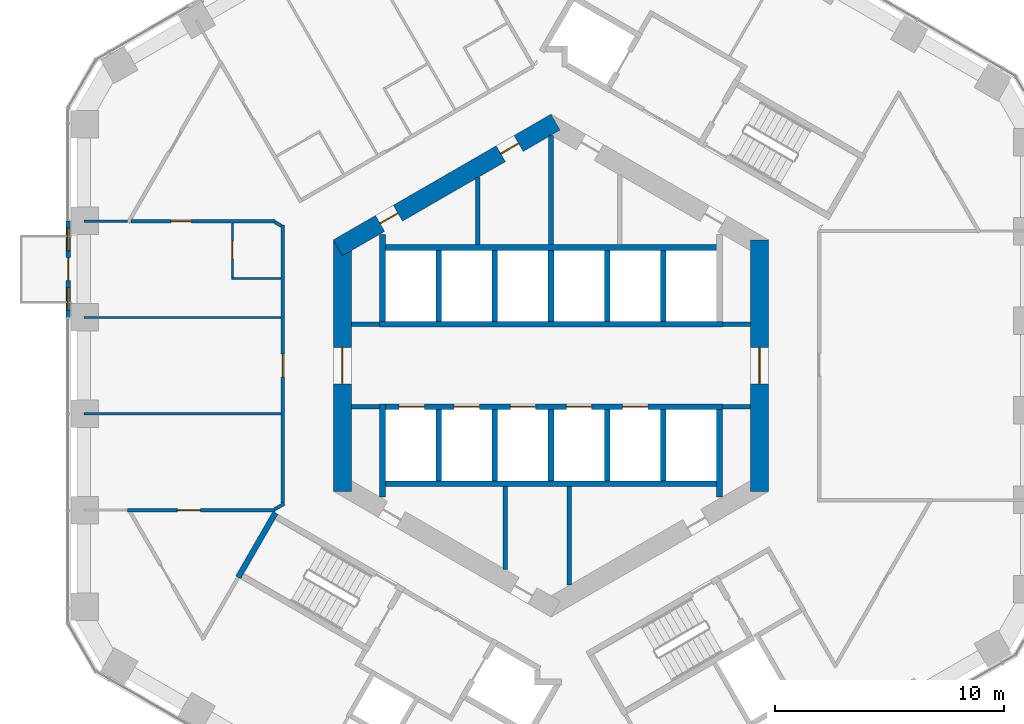
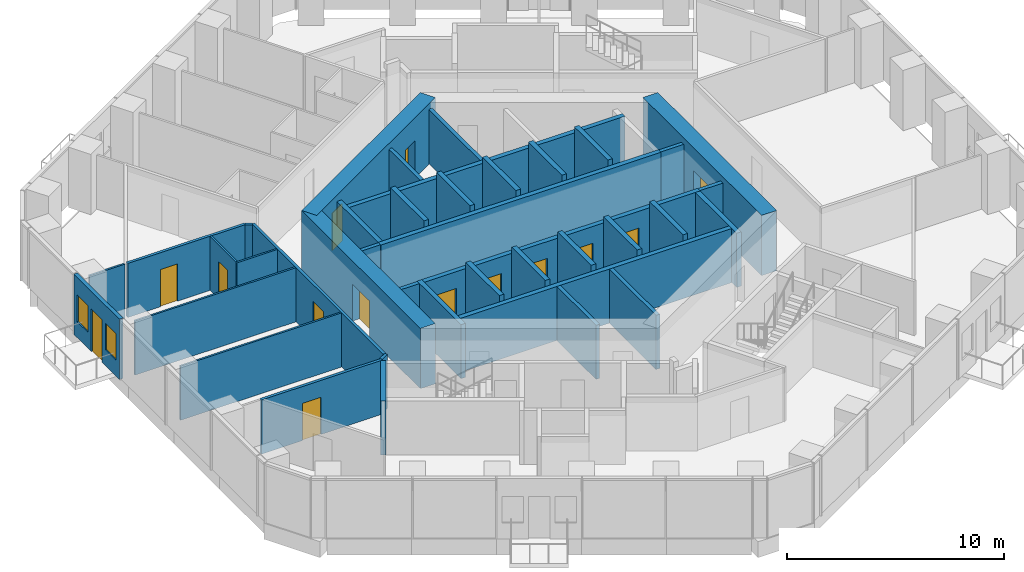
# One storey, part 14 of 20: 40 walls, 14 doors, 2 windows, 16 openings.
"""IFC4 building model written with IfcOpenShell, lengths in metres."""

from ifc_helpers import new_model, si_unit, direction, frame, frame_2d, origin, place, context, subcontext, project, spatial, rectangle, extrude, material, layer, layer_set, type_object, element, fill, save


model = new_model("IFC4")

# Units and contexts
model_context = context("Model", 3, precision=1e-05, world=origin(), true_north=direction((0.0, 1.0)))
body_context = subcontext(model_context, "Body", "Model", "MODEL_VIEW")
ifc_project = project(units=[si_unit("LENGTHUNIT", "METRE"), si_unit("AREAUNIT", "SQUARE_METRE"), si_unit("VOLUMEUNIT", "CUBIC_METRE"), si_unit("PLANEANGLEUNIT", "RADIAN"), si_unit("MASSUNIT", "GRAM", prefix="KILO")], contexts=[model_context])

# Site, building, storey
site_placement = place(None, origin())
site = spatial("IfcSite", under=ifc_project, at=site_placement, CompositionType="ELEMENT")
building_placement = place(site_placement, origin())
building = spatial("IfcBuilding", under=site, at=building_placement, Name="Ayvan Gate Tower", CompositionType="ELEMENT")
storey_placement = place(building_placement, frame((0.0, 0.0, 49.300048828125)))
storey = spatial("IfcBuildingStorey", under=building, at=storey_placement, Name="L12", CompositionType="ELEMENT", Elevation=49.300048828125)

# Wall, openings, door, windows
ifc_material_1 = material(Name="Insulated metal panel wall")
ifc_layer_1 = layer(ifc_material_1, 0.199951171875)
ifc_layer_set_1 = layer_set([ifc_layer_1], Name="Insulated metal panel wall")
wall_type_1 = type_object("IfcWallType", Name="Balcony door wall 200", PredefinedType="SOLIDWALL", material=ifc_layer_set_1)
wall_1_placement = place(storey_placement, frame((-21.069091796875, 6.31494140625, 0.0), z_axis=(0.0, 0.0, 1.0), x_axis=(0.0, -1.0, 0.0)))
wall_1 = element("IfcWall", 1, at=wall_1_placement, inside=storey, type_object=wall_type_1, Name="EW:L12:3:1", PredefinedType="SOLIDWALL", context=body_context, shape_type="SweptSolid", body=[
    extrude(rectangle(XDim=4.2099609375, YDim=0.199951171875, at=frame_2d((2.10498046875, 0.0))), origin(), (0.0, 0.0, 1.0), 3.39990234375),
])
opening_1_placement = place(wall_1_placement, frame((1.60498046875, 0.0, 0.0)))
opening_1 = element("IfcOpeningElement", 2, at=opening_1_placement, cuts=wall_1, Name="Opening L12-D93", PredefinedType="OPENING", context=body_context, shape_type="SweptSolid", body=[
    extrude(rectangle(XDim=1.0, YDim=2.39990234375, at=frame_2d((0.5, 1.199951171875))), frame((0.0, 0.10986328125, 0.0), z_axis=(0.0, -1.0, 0.0), x_axis=(1.0, 0.0, 0.0)), (0.0, 0.0, 1.0), 0.219970703125),
])
opening_2_placement = place(wall_1_placement, frame((0.302490234375, 0.0, 0.89990234375)))
opening_2 = element("IfcOpeningElement", 3, at=opening_2_placement, cuts=wall_1, Name="Opening W-B1", PredefinedType="OPENING", context=body_context, shape_type="SweptSolid", body=[
    extrude(rectangle(XDim=1.0, YDim=1.5, at=frame_2d((0.5, 0.75))), frame((0.0, 0.10986328125, 0.0), z_axis=(0.0, -1.0, 0.0), x_axis=(1.0, 0.0, 0.0)), (0.0, 0.0, 1.0), 0.219970703125),
])
opening_3_placement = place(wall_1_placement, frame((2.907470703125, 0.0, 0.89990234375)))
opening_3 = element("IfcOpeningElement", 4, at=opening_3_placement, cuts=wall_1, Name="Opening W-B1", PredefinedType="OPENING", context=body_context, shape_type="SweptSolid", body=[
    extrude(rectangle(XDim=1.0, YDim=1.5, at=frame_2d((0.5, 0.75))), frame((0.0, 0.10986328125, 0.0), z_axis=(0.0, -1.0, 0.0), x_axis=(1.0, 0.0, 0.0)), (0.0, 0.0, 1.0), 0.219970703125),
])
ifc_material_2 = material(Name="Bronze anodised aluminium and clear glass", Category="aluminium")
door_type_1 = type_object("IfcDoorType", Name="Balcony door D-B", OperationType="SINGLE_SWING_RIGHT", PredefinedType="DOOR", material=ifc_material_2)
door_1_placement = place(opening_1_placement, origin())
door_1 = element("IfcDoor", 5, at=door_1_placement, inside=storey, type_object=door_type_1, Name="Balcony door BAL-L12-3", OperationType="SINGLE_SWING_RIGHT", OverallHeight=2.39990234375, OverallWidth=1.0, PredefinedType="DOOR", context=body_context, shape_type="SweptSolid", body=[
    extrude(rectangle(XDim=1.0, YDim=2.39990234375, at=frame_2d((0.5, 1.199951171875))), frame((0.0, 0.02490234375, 0.0), z_axis=(0.0, -1.0, 0.0), x_axis=(1.0, 0.0, 0.0)), (0.0, 0.0, 1.0), 0.050048828125),
])
fill(opening_1, door_1)
window_type = type_object("IfcWindowType", Name="Balcony side light W-B Z1", PartitioningType="SINGLE_PANEL", PredefinedType="WINDOW", material=ifc_material_2)
window_1_placement = place(opening_2_placement, origin())
window_1 = element("IfcWindow", 6, at=window_1_placement, inside=storey, type_object=window_type, Name="Balcony side light BAL-L12-3.1", OverallHeight=1.5, OverallWidth=1.0, PartitioningType="SINGLE_PANEL", PredefinedType="WINDOW", context=body_context, shape_type="SweptSolid", body=[
    extrude(rectangle(XDim=1.0, YDim=1.5, at=frame_2d((0.5, 0.75))), frame((0.0, 0.030029296875, 0.0), z_axis=(0.0, -1.0, 0.0), x_axis=(1.0, 0.0, 0.0)), (0.0, 0.0, 1.0), 0.06005859375),
])
fill(opening_2, window_1)
window_2_placement = place(opening_3_placement, origin())
window_2 = element("IfcWindow", 7, at=window_2_placement, inside=storey, type_object=window_type, Name="Balcony side light BAL-L12-3.2", OverallHeight=1.5, OverallWidth=1.0, PartitioningType="SINGLE_PANEL", PredefinedType="WINDOW", context=body_context, shape_type="SweptSolid", body=[
    extrude(rectangle(XDim=1.0, YDim=1.5, at=frame_2d((0.5, 0.75))), frame((0.0, 0.030029296875, 0.0), z_axis=(0.0, -1.0, 0.0), x_axis=(1.0, 0.0, 0.0)), (0.0, 0.0, 1.0), 0.06005859375),
])
fill(opening_3, window_2)

# Wall, opening, door
ifc_material_3 = material(Name="Concrete C70/85", Category="concrete")
ifc_layer_2 = layer(ifc_material_3, 0.800048828125)
ifc_layer_set_2 = layer_set([ifc_layer_2], Name="Concrete C70/85")
wall_type_2 = type_object("IfcWallType", Name="Core wall 800 C70/85", PredefinedType="SHEAR", material=ifc_layer_set_2)
wall_2_placement = place(storey_placement, frame((9.10009765625, -5.48486328125, 0.0), z_axis=(0.0, 0.0, 1.0), x_axis=(0.0, 1.0, 0.0)))
wall_2 = element("IfcWall", 8, at=wall_2_placement, inside=storey, type_object=wall_type_2, Name="CORE-L12-0", PredefinedType="SHEAR", context=body_context, shape_type="SweptSolid", body=[
    extrude(rectangle(XDim=10.9697265625, YDim=0.800048828125, at=frame_2d((5.48486328125, 0.0))), origin(), (0.0, 0.0, 1.0), 3.39990234375),
])
opening_4_placement = place(wall_2_placement, frame((4.684814453125, 0.0, 0.0)))
opening_4 = element("IfcOpeningElement", 9, at=opening_4_placement, cuts=wall_2, Name="Opening L12-D103", PredefinedType="OPENING", context=body_context, shape_type="SweptSolid", body=[
    extrude(rectangle(XDim=1.60009765625, YDim=2.10009765625, at=frame_2d((0.800048828125, 1.050048828125))), frame((0.0, 0.409912109375, 0.0), z_axis=(0.0, -1.0, 0.0), x_axis=(1.0, 0.0, 0.0)), (0.0, 0.0, 1.0), 0.820068359375),
])
ifc_material_4 = material(Name="Timber door leaf", Category="wood")
door_type_2 = type_object("IfcDoorType", Name="DT-1600", OperationType="NOTDEFINED", PredefinedType="DOOR", material=ifc_material_4)
door_2_placement = place(opening_4_placement, origin())
door_2 = element("IfcDoor", 10, at=door_2_placement, inside=storey, type_object=door_type_2, Name="CD-L12-103", OperationType="SINGLE_SWING_LEFT", OverallHeight=2.10009765625, OverallWidth=1.60009765625, PredefinedType="DOOR", context=body_context, shape_type="SweptSolid", body=[
    extrude(rectangle(XDim=1.60009765625, YDim=2.10009765625, at=frame_2d((0.800048828125, 1.050048828125))), frame((0.0, 0.02490234375, 0.0), z_axis=(0.0, -1.0, 0.0), x_axis=(1.0, 0.0, 0.0)), (0.0, 0.0, 1.0), 0.050048828125),
])
fill(opening_4, door_2)

# Wall, openings, doors
wall_3_placement = place(storey_placement, frame((0.199951171875, 10.623291015625, 0.0), z_axis=(0.0, 0.0, 1.0), x_axis=(-0.866023993627, -0.500002442456, 0.0)))
wall_3 = element("IfcWall", 11, at=wall_3_placement, inside=storey, type_object=wall_type_2, Name="CORE-L12-2", PredefinedType="SHEAR", context=body_context, shape_type="SweptSolid", body=[
    extrude(rectangle(XDim=10.9697265625, YDim=0.800048828125, at=frame_2d((5.48486328125, 0.0))), origin(), (0.0, 0.0, 1.0), 3.39990234375),
])
opening_5_placement = place(wall_3_placement, frame((7.943603515625, 0.0, 0.0)))
opening_5 = element("IfcOpeningElement", 12, at=opening_5_placement, cuts=wall_3, Name="Opening L12-D96", PredefinedType="OPENING", context=body_context, shape_type="SweptSolid", body=[
    extrude(rectangle(XDim=0.89990234375, YDim=2.10009765625, at=frame_2d((0.449951171875, 1.050048828125))), frame((0.0, 0.409912109375, 0.0), z_axis=(0.0, -1.0, 0.0), x_axis=(1.0, 0.0, 0.0)), (0.0, 0.0, 1.0), 0.820068359375),
])
opening_6_placement = place(wall_3_placement, frame((1.860107421875, 0.0, 0.0)))
opening_6 = element("IfcOpeningElement", 13, at=opening_6_placement, cuts=wall_3, Name="Opening L12-D97", PredefinedType="OPENING", context=body_context, shape_type="SweptSolid", body=[
    extrude(rectangle(XDim=0.89990234375, YDim=2.10009765625, at=frame_2d((0.449951171875, 1.050048828125))), frame((0.0, 0.409912109375, 0.0), z_axis=(0.0, -1.0, 0.0), x_axis=(1.0, 0.0, 0.0)), (0.0, 0.0, 1.0), 0.820068359375),
])
door_type_3 = type_object("IfcDoorType", Name="DT-900", OperationType="NOTDEFINED", PredefinedType="DOOR", material=ifc_material_4)
door_3_placement = place(opening_5_placement, origin())
door_3 = element("IfcDoor", 14, at=door_3_placement, inside=storey, type_object=door_type_3, Name="CD-L12-96", OperationType="SINGLE_SWING_RIGHT", OverallHeight=2.10009765625, OverallWidth=0.89990234375, PredefinedType="DOOR", context=body_context, shape_type="SweptSolid", body=[
    extrude(rectangle(XDim=0.89990234375, YDim=2.10009765625, at=frame_2d((0.449951171875, 1.050048828125))), frame((0.0, 0.02490234375, 0.0), z_axis=(0.0, -1.0, 0.0), x_axis=(1.0, 0.0, 0.0)), (0.0, 0.0, 1.0), 0.050048828125),
])
fill(opening_5, door_3)
door_4_placement = place(opening_6_placement, origin())
door_4 = element("IfcDoor", 15, at=door_4_placement, inside=storey, type_object=door_type_3, Name="CD-L12-97", OperationType="SINGLE_SWING_LEFT", OverallHeight=2.10009765625, OverallWidth=0.89990234375, PredefinedType="DOOR", context=body_context, shape_type="SweptSolid", body=[
    extrude(rectangle(XDim=0.89990234375, YDim=2.10009765625, at=frame_2d((0.449951171875, 1.050048828125))), frame((0.0, 0.02490234375, 0.0), z_axis=(0.0, -1.0, 0.0), x_axis=(1.0, 0.0, 0.0)), (0.0, 0.0, 1.0), 0.050048828125),
])
fill(opening_6, door_4)

# Wall, opening, door
wall_4_placement = place(storey_placement, frame((-9.10009765625, 5.48486328125, 0.0), z_axis=(0.0, 0.0, 1.0), x_axis=(0.0, -1.0, 0.0)))
wall_4 = element("IfcWall", 16, at=wall_4_placement, inside=storey, type_object=wall_type_2, Name="CORE-L12-3", PredefinedType="SHEAR", context=body_context, shape_type="SweptSolid", body=[
    extrude(rectangle(XDim=10.9697265625, YDim=0.800048828125, at=frame_2d((5.48486328125, 0.0))), origin(), (0.0, 0.0, 1.0), 3.39990234375),
])
opening_7_placement = place(wall_4_placement, frame((4.684814453125, 0.0, 0.0)))
opening_7 = element("IfcOpeningElement", 17, at=opening_7_placement, cuts=wall_4, Name="Opening L12-D104", PredefinedType="OPENING", context=body_context, shape_type="SweptSolid", body=[
    extrude(rectangle(XDim=1.60009765625, YDim=2.10009765625, at=frame_2d((0.800048828125, 1.050048828125))), frame((0.0, 0.409912109375, 0.0), z_axis=(0.0, -1.0, 0.0), x_axis=(1.0, 0.0, 0.0)), (0.0, 0.0, 1.0), 0.820068359375),
])
door_5_placement = place(opening_7_placement, origin())
door_5 = element("IfcDoor", 18, at=door_5_placement, inside=storey, type_object=door_type_2, Name="CD-L12-104", OperationType="SINGLE_SWING_RIGHT", OverallHeight=2.10009765625, OverallWidth=1.60009765625, PredefinedType="DOOR", context=body_context, shape_type="SweptSolid", body=[
    extrude(rectangle(XDim=1.60009765625, YDim=2.10009765625, at=frame_2d((0.800048828125, 1.050048828125))), frame((0.0, 0.02490234375, 0.0), z_axis=(0.0, -1.0, 0.0), x_axis=(1.0, 0.0, 0.0)), (0.0, 0.0, 1.0), 0.050048828125),
])
fill(opening_7, door_5)

ifc_material_5 = material(Name="Plasterboard on steel stud", Category="steel")
ifc_layer_3 = layer(ifc_material_5, 0.14990234375)
ifc_layer_set_3 = layer_set([ifc_layer_3], Name="Plasterboard on steel stud")
wall_type_3 = type_object("IfcWallType", Name="WT-CORR-150", PredefinedType="PARTITIONING", material=ifc_layer_set_3)
wall_5_placement = place(storey_placement, frame((-18.485107421875, -6.3046875, 0.0), z_axis=(0.0, 0.0, 1.0), x_axis=(1.0, 0.0, 0.0)))
wall_5 = element("IfcWall", 19, at=wall_5_placement, inside=storey, type_object=wall_type_3, Name="IW-L12-000", PredefinedType="PARTITIONING", context=body_context, shape_type="SweptSolid", body=[
    extrude(rectangle(XDim=6.440185546875, YDim=0.14990234375, at=frame_2d((3.22021484375, 0.0))), origin(), (0.0, 0.0, 1.0), 3.050048828125),
])
opening_8_placement = place(wall_5_placement, frame((2.18212890625, 0.0, 0.0)))
opening_8 = element("IfcOpeningElement", 20, at=opening_8_placement, cuts=wall_5, Name="Opening L12-D24", PredefinedType="OPENING", context=body_context, shape_type="SweptSolid", body=[
    extrude(rectangle(XDim=1.0, YDim=2.10009765625, at=frame_2d((0.5, 1.050048828125))), frame((0.0, 0.0849609375, 0.0), z_axis=(0.0, -1.0, 0.0), x_axis=(1.0, 0.0, 0.0)), (0.0, 0.0, 1.0), 0.169921875),
])
door_type_4 = type_object("IfcDoorType", Name="DT-1000", OperationType="NOTDEFINED", PredefinedType="DOOR", material=ifc_material_4)
door_6_placement = place(opening_8_placement, origin())
door_6 = element("IfcDoor", 21, at=door_6_placement, inside=storey, type_object=door_type_4, Name="ID-L12-024", OperationType="SINGLE_SWING_RIGHT", OverallHeight=2.10009765625, OverallWidth=1.0, PredefinedType="DOOR", context=body_context, shape_type="SweptSolid", body=[
    extrude(rectangle(XDim=1.0, YDim=2.10009765625, at=frame_2d((0.5, 1.050048828125))), frame((0.0, 0.02490234375, 0.0), z_axis=(0.0, -1.0, 0.0), x_axis=(1.0, 0.0, 0.0)), (0.0, 0.0, 1.0), 0.050048828125),
])
fill(opening_8, door_6)

wall_6_placement = place(storey_placement, frame((-18.335205078125, 6.3046875, 0.0), z_axis=(0.0, 0.0, 1.0), x_axis=(1.0, 0.0, 0.0)))
wall_6 = element("IfcWall", 22, at=wall_6_placement, inside=storey, type_object=wall_type_3, Name="IW-L12-009", PredefinedType="PARTITIONING", context=body_context, shape_type="SweptSolid", body=[
    extrude(rectangle(XDim=6.290283203125, YDim=0.14990234375, at=frame_2d((3.14501953125, 0.0))), origin(), (0.0, 0.0, 1.0), 3.050048828125),
])
opening_9_placement = place(wall_6_placement, frame((1.752685546875, 0.0, 0.0)))
opening_9 = element("IfcOpeningElement", 23, at=opening_9_placement, cuts=wall_6, Name="Opening L12-D21", PredefinedType="OPENING", context=body_context, shape_type="SweptSolid", body=[
    extrude(rectangle(XDim=0.89990234375, YDim=2.10009765625, at=frame_2d((0.449951171875, 1.050048828125))), frame((0.0, 0.0849609375, 0.0), z_axis=(0.0, -1.0, 0.0), x_axis=(1.0, 0.0, 0.0)), (0.0, 0.0, 1.0), 0.169921875),
])
door_7_placement = place(opening_9_placement, origin())
door_7 = element("IfcDoor", 24, at=door_7_placement, inside=storey, type_object=door_type_3, Name="ID-L12-021", OperationType="SINGLE_SWING_LEFT", OverallHeight=2.10009765625, OverallWidth=0.89990234375, PredefinedType="DOOR", context=body_context, shape_type="SweptSolid", body=[
    extrude(rectangle(XDim=0.89990234375, YDim=2.10009765625, at=frame_2d((0.449951171875, 1.050048828125))), frame((0.0, 0.02490234375, 0.0), z_axis=(0.0, -1.0, 0.0), x_axis=(1.0, 0.0, 0.0)), (0.0, 0.0, 1.0), 0.050048828125),
])
fill(opening_9, door_7)

# Wall
wall_7_placement = place(storey_placement, frame((-12.05517578125, -6.26708984375, 0.0), z_axis=(0.0, 0.0, 1.0), x_axis=(0.86616044843, 0.49976602283, 0.0)))
element("IfcWall", 25, at=wall_7_placement, inside=storey, type_object=wall_type_3, Name="IW-L12-012", PredefinedType="PARTITIONING", context=body_context, shape_type="SweptSolid", body=[
    extrude(rectangle(XDim=0.485107421875, YDim=0.14990234375, at=frame_2d((0.24267578125, 0.0))), origin(), (0.0, 0.0, 1.0), 3.050048828125),
])

# Wall, opening, door
wall_8_placement = place(storey_placement, frame((-11.699951171875, 6.13720703125, 0.0), z_axis=(0.0, 0.0, 1.0), x_axis=(0.0, -1.0, 0.0)))
wall_8 = element("IfcWall", 26, at=wall_8_placement, inside=storey, type_object=wall_type_3, Name="IW-L12-015", PredefinedType="PARTITIONING", context=body_context, shape_type="SweptSolid", body=[
    extrude(rectangle(XDim=12.12451171875, YDim=0.14990234375, at=frame_2d((6.062255859375, 0.0))), origin(), (0.0, 0.0, 1.0), 3.050048828125),
])
opening_10_placement = place(wall_8_placement, frame((5.63720703125, 0.0, 0.0)))
opening_10 = element("IfcOpeningElement", 27, at=opening_10_placement, cuts=wall_8, Name="Opening L12-D23", PredefinedType="OPENING", context=body_context, shape_type="SweptSolid", body=[
    extrude(rectangle(XDim=1.0, YDim=2.10009765625, at=frame_2d((0.5, 1.050048828125))), frame((0.0, 0.0849609375, 0.0), z_axis=(0.0, -1.0, 0.0), x_axis=(1.0, 0.0, 0.0)), (0.0, 0.0, 1.0), 0.169921875),
])
door_8_placement = place(opening_10_placement, origin())
door_8 = element("IfcDoor", 28, at=door_8_placement, inside=storey, type_object=door_type_4, Name="ID-L12-023", OperationType="SINGLE_SWING_LEFT", OverallHeight=2.10009765625, OverallWidth=1.0, PredefinedType="DOOR", context=body_context, shape_type="SweptSolid", body=[
    extrude(rectangle(XDim=1.0, YDim=2.10009765625, at=frame_2d((0.5, 1.050048828125))), frame((0.0, 0.02490234375, 0.0), z_axis=(0.0, -1.0, 0.0), x_axis=(1.0, 0.0, 0.0)), (0.0, 0.0, 1.0), 0.050048828125),
])
fill(opening_10, door_8)

# Walls
wall_9_placement = place(storey_placement, frame((-11.764892578125, 6.099609375, 0.0), z_axis=(0.0, 0.0, 1.0), x_axis=(-0.866173457785, 0.499743475223, 0.0)))
element("IfcWall", 29, at=wall_9_placement, inside=storey, type_object=wall_type_3, Name="IW-L12-017", PredefinedType="PARTITIONING", context=body_context, shape_type="SweptSolid", body=[
    extrude(rectangle(XDim=0.335205078125, YDim=0.14990234375, at=frame_2d((0.16748046875, 0.0))), origin(), (0.0, 0.0, 1.0), 3.050048828125),
])
ifc_layer_4 = layer(ifc_material_5, 0.10009765625)
ifc_layer_set_4 = layer_set([ifc_layer_4], Name="Plasterboard on steel stud")
wall_type_4 = type_object("IfcWallType", Name="WT-PART-100", PredefinedType="PARTITIONING", material=ifc_layer_set_4)
wall_10_placement = place(storey_placement, frame((-18.485107421875, 6.3046875, 0.0), z_axis=(0.0, 0.0, 1.0), x_axis=(-1.0, 0.0, 0.0)))
element("IfcWall", 30, at=wall_10_placement, inside=storey, type_object=wall_type_4, Name="IW-L12-001", PredefinedType="PARTITIONING", context=body_context, shape_type="SweptSolid", body=[
    extrude(rectangle(XDim=1.884033203125, YDim=0.10009765625, at=frame_2d((0.94189453125, 0.0))), origin(), (0.0, 0.0, 1.0), 3.050048828125),
])
wall_11_placement = place(storey_placement, frame((-13.949951171875, 3.8046875, 0.0), z_axis=(0.0, 0.0, 1.0), x_axis=(1.0, 0.0, 0.0)))
element("IfcWall", 31, at=wall_11_placement, inside=storey, type_object=wall_type_4, Name="IW-L12-007", PredefinedType="PARTITIONING", context=body_context, shape_type="SweptSolid", body=[
    extrude(rectangle(XDim=2.175048828125, YDim=0.10009765625, at=frame_2d((1.08740234375, 0.0))), origin(), (0.0, 0.0, 1.0), 3.050048828125),
])

# Wall, opening, door
wall_12_placement = place(storey_placement, frame((-13.89990234375, 6.229736328125, 0.0), z_axis=(0.0, 0.0, 1.0), x_axis=(0.0, -1.0, 0.0)))
wall_12 = element("IfcWall", 32, at=wall_12_placement, inside=storey, type_object=wall_type_4, Name="IW-L12-008", PredefinedType="PARTITIONING", context=body_context, shape_type="SweptSolid", body=[
    extrude(rectangle(XDim=2.375, YDim=0.10009765625, at=frame_2d((1.1875, 0.0))), origin(), (0.0, 0.0, 1.0), 3.050048828125),
])
opening_11_placement = place(wall_12_placement, frame((0.78759765625, 0.0, 0.0)))
opening_11 = element("IfcOpeningElement", 33, at=opening_11_placement, cuts=wall_12, Name="Opening L12-D22", PredefinedType="OPENING", context=body_context, shape_type="SweptSolid", body=[
    extrude(rectangle(XDim=0.800048828125, YDim=2.10009765625, at=frame_2d((0.39990234375, 1.050048828125))), frame((0.0, 0.06005859375, 0.0), z_axis=(0.0, -1.0, 0.0), x_axis=(1.0, 0.0, 0.0)), (0.0, 0.0, 1.0), 0.1201171875),
])
door_type_5 = type_object("IfcDoorType", Name="DT-800", OperationType="NOTDEFINED", PredefinedType="DOOR", material=ifc_material_4)
door_9_placement = place(opening_11_placement, origin())
door_9 = element("IfcDoor", 34, at=door_9_placement, inside=storey, type_object=door_type_5, Name="ID-L12-022", OperationType="SINGLE_SWING_RIGHT", OverallHeight=2.10009765625, OverallWidth=0.800048828125, PredefinedType="DOOR", context=body_context, shape_type="SweptSolid", body=[
    extrude(rectangle(XDim=0.800048828125, YDim=2.10009765625, at=frame_2d((0.39990234375, 1.050048828125))), frame((0.0, 0.02490234375, 0.0), z_axis=(0.0, -1.0, 0.0), x_axis=(1.0, 0.0, 0.0)), (0.0, 0.0, 1.0), 0.050048828125),
])
fill(opening_11, door_9)

# Walls
for number, where, z_axis, x_axis, name in (
    (35, (-11.77490234375, -2.1015625, 0.0), (0.0, 0.0, 1.0), (-1.0, 0.0, 0.0), "IW-L12-014"),
    (36, (-11.77490234375, 2.1015625, 0.0), (0.0, 0.0, 1.0), (-1.0, 0.0, 0.0), "IW-L12-016"),
):
    element("IfcWall", number, at=place(storey_placement, frame(where, z_axis=z_axis, x_axis=x_axis)), inside=storey, type_object=wall_type_4, Name=name, PredefinedType="PARTITIONING", context=body_context, shape_type="SweptSolid", body=[
        extrude(rectangle(XDim=8.59423828125, YDim=0.10009765625, at=frame_2d((4.297119140625, 0.0))), origin(), (0.0, 0.0, 1.0), 3.050048828125),
    ])
ifc_layer_5 = layer(ifc_material_5, 0.199951171875)
ifc_layer_set_5 = layer_set([ifc_layer_5], Name="Plasterboard on steel stud")
wall_type_5 = type_object("IfcWallType", Name="WT-RATED-200", PredefinedType="PARTITIONING", material=ifc_layer_set_5)
for number, where, z_axis, x_axis, name in (
    (37, (-8.699951171875, 1.800048828125, 0.0), (0.0, 0.0, 1.0), (1.0, 0.0, 0.0), "IW-L12-023"),
    (38, (-7.474853515625, -1.800048828125, 0.0), (0.0, 0.0, 1.0), (-1.0, 0.0, 0.0), "IW-L12-032"),
):
    element("IfcWall", number, at=place(storey_placement, frame(where, z_axis=z_axis, x_axis=x_axis)), inside=storey, type_object=wall_type_5, Name=name, PredefinedType="PARTITIONING", context=body_context, shape_type="SweptSolid", body=[
        extrude(rectangle(XDim=1.22509765625, YDim=0.199951171875, at=frame_2d((0.612548828125, 0.0))), origin(), (0.0, 0.0, 1.0), 3.050048828125),
    ])
wall_13_placement = place(storey_placement, frame((-3.199951171875, 8.198486328125, 0.0), z_axis=(0.0, 0.0, 1.0), x_axis=(0.0, -1.0, 0.0)))
element("IfcWall", 39, at=wall_13_placement, inside=storey, type_object=wall_type_5, Name="IW-L12-048", PredefinedType="PARTITIONING", context=body_context, shape_type="SweptSolid", body=[
    extrude(rectangle(XDim=2.923583984375, YDim=0.199951171875, at=frame_2d((1.4619140625, 0.0))), origin(), (0.0, 0.0, 1.0), 3.050048828125),
])
wall_14_placement = place(storey_placement, frame((-2.0, -5.27490234375, 0.0), z_axis=(0.0, 0.0, 1.0), x_axis=(0.0, -1.0, 0.0)))
element("IfcWall", 40, at=wall_14_placement, inside=storey, type_object=wall_type_5, Name="IW-L12-055", PredefinedType="PARTITIONING", context=body_context, shape_type="SweptSolid", body=[
    extrude(rectangle(XDim=3.6162109375, YDim=0.199951171875, at=frame_2d((1.80810546875, 0.0))), origin(), (0.0, 0.0, 1.0), 3.050048828125),
])
wall_15_placement = place(storey_placement, frame((0.0, 10.0458984375, 0.0), z_axis=(0.0, 0.0, 1.0), x_axis=(0.0, -1.0, 0.0)))
element("IfcWall", 41, at=wall_15_placement, inside=storey, type_object=wall_type_5, Name="IW-L12-064", PredefinedType="PARTITIONING", context=body_context, shape_type="SweptSolid", body=[
    extrude(rectangle(XDim=4.77099609375, YDim=0.199951171875, at=frame_2d((2.385498046875, 0.0))), origin(), (0.0, 0.0, 1.0), 3.050048828125),
])
wall_16_placement = place(storey_placement, frame((0.800048828125, -5.27490234375, 0.0), z_axis=(0.0, 0.0, 1.0), x_axis=(0.0, -1.0, 0.0)))
element("IfcWall", 42, at=wall_16_placement, inside=storey, type_object=wall_type_5, Name="IW-L12-068", PredefinedType="PARTITIONING", context=body_context, shape_type="SweptSolid", body=[
    extrude(rectangle(XDim=4.30908203125, YDim=0.199951171875, at=frame_2d((2.154541015625, 0.0))), origin(), (0.0, 0.0, 1.0), 3.050048828125),
])
for number, where, z_axis, x_axis, name in (
    (43, (7.474853515625, 1.800048828125, 0.0), (0.0, 0.0, 1.0), (1.0, 0.0, 0.0), "IW-L12-089"),
    (44, (8.699951171875, -1.800048828125, 0.0), (0.0, 0.0, 1.0), (-1.0, 0.0, 0.0), "IW-L12-097"),
):
    element("IfcWall", number, at=place(storey_placement, frame(where, z_axis=z_axis, x_axis=x_axis)), inside=storey, type_object=wall_type_5, Name=name, PredefinedType="PARTITIONING", context=body_context, shape_type="SweptSolid", body=[
        extrude(rectangle(XDim=1.22509765625, YDim=0.199951171875, at=frame_2d((0.612548828125, 0.0))), origin(), (0.0, 0.0, 1.0), 3.050048828125),
    ])
ifc_material_6 = material(Name="Concrete C50/60", Category="concrete")
ifc_layer_6 = layer(ifc_material_6, 0.25)
ifc_layer_set_6 = layer_set([ifc_layer_6], Name="Concrete C50/60")
wall_type_6 = type_object("IfcWallType", Name="WT-RC-250", PredefinedType="SHEAR", material=ifc_layer_set_6)
wall_17_placement = place(storey_placement, frame((-13.64794921875, -9.23876953125, 0.0), z_axis=(0.0, 0.0, 1.0), x_axis=(0.500017246033, 0.866015446554, 0.0)))
element("IfcWall", 45, at=wall_17_placement, inside=storey, type_object=wall_type_6, Name="IW-L12-010", PredefinedType="SHEAR", context=body_context, shape_type="SweptSolid", body=[
    extrude(rectangle(XDim=3.25, YDim=0.25, at=frame_2d((1.625, 0.0))), origin(), (0.0, 0.0, 1.0), 3.050048828125),
])
wall_18_placement = place(storey_placement, frame((-7.47509765625, 1.800048828125, 0.0), z_axis=(0.0, 0.0, 1.0), x_axis=(1.0, 0.0, 0.0)))
element("IfcWall", 46, at=wall_18_placement, inside=storey, type_object=wall_type_6, Name="IW-L12-028", PredefinedType="SHEAR", context=body_context, shape_type="SweptSolid", body=[
    extrude(rectangle(XDim=14.9501953125, YDim=0.25, at=frame_2d((7.47509765625, 0.0))), origin(), (0.0, 0.0, 1.0), 3.050048828125),
])
wall_19_placement = place(storey_placement, frame((-7.35009765625, -5.730224609375, 0.0), z_axis=(0.0, 0.0, 1.0), x_axis=(0.0, 1.0, 0.0)))
element("IfcWall", 47, at=wall_19_placement, inside=storey, type_object=wall_type_6, Name="IW-L12-029", PredefinedType="SHEAR", context=body_context, shape_type="SweptSolid", body=[
    extrude(rectangle(XDim=4.05517578125, YDim=0.25, at=frame_2d((2.027587890625, 0.0))), origin(), (0.0, 0.0, 1.0), 3.050048828125),
])
wall_20_placement = place(storey_placement, frame((-7.35009765625, 1.925048828125, 0.0), z_axis=(0.0, 0.0, 1.0), x_axis=(0.0, 1.0, 0.0)))
element("IfcWall", 48, at=wall_20_placement, inside=storey, type_object=wall_type_6, Name="IW-L12-030", PredefinedType="SHEAR", context=body_context, shape_type="SweptSolid", body=[
    extrude(rectangle(XDim=3.80517578125, YDim=0.25, at=frame_2d((1.902587890625, 0.0))), origin(), (0.0, 0.0, 1.0), 3.050048828125),
])
for number, where, z_axis, x_axis, name in (
    (49, (-7.22509765625, 5.14990234375, 0.0), (0.0, 0.0, 1.0), (1.0, 0.0, 0.0), "IW-L12-031"),
    (50, (-7.22509765625, -5.14990234375, 0.0), (0.0, 0.0, 1.0), (1.0, 0.0, 0.0), "IW-L12-041"),
):
    element("IfcWall", number, at=place(storey_placement, frame(where, z_axis=z_axis, x_axis=x_axis)), inside=storey, type_object=wall_type_6, Name=name, PredefinedType="SHEAR", context=body_context, shape_type="SweptSolid", body=[
        extrude(rectangle(XDim=14.7001953125, YDim=0.25, at=frame_2d((7.35009765625, 0.0))), origin(), (0.0, 0.0, 1.0), 3.050048828125),
    ])
for number, where, z_axis, x_axis, name in (
    (51, (-4.89990234375, -1.925048828125, 0.0), (0.0, 0.0, 1.0), (0.0, -1.0, 0.0), "IW-L12-042"),
    (52, (-4.89990234375, 5.02490234375, 0.0), (0.0, 0.0, 1.0), (0.0, -1.0, 0.0), "IW-L12-043"),
):
    element("IfcWall", number, at=place(storey_placement, frame(where, z_axis=z_axis, x_axis=x_axis)), inside=storey, type_object=wall_type_6, Name=name, PredefinedType="SHEAR", context=body_context, shape_type="SweptSolid", body=[
        extrude(rectangle(XDim=3.099853515625, YDim=0.25, at=frame_2d((1.5498046875, 0.0))), origin(), (0.0, 0.0, 1.0), 3.39990234375),
    ])

# Wall, openings, doors
wall_21_placement = place(storey_placement, frame((-7.22509765625, -1.800048828125, 0.0), z_axis=(0.0, 0.0, 1.0), x_axis=(1.0, 0.0, 0.0)))
wall_21 = element("IfcWall", 53, at=wall_21_placement, inside=storey, type_object=wall_type_6, Name="IW-L12-044", PredefinedType="SHEAR", context=body_context, shape_type="SweptSolid", body=[
    extrude(rectangle(XDim=14.7001953125, YDim=0.25, at=frame_2d((7.35009765625, 0.0))), origin(), (0.0, 0.0, 1.0), 3.050048828125),
])
opening_12_placement = place(wall_21_placement, frame((0.597412109375, 0.0, 0.0)))
opening_12 = element("IfcOpeningElement", 54, at=opening_12_placement, cuts=wall_21, Name="Opening L12-LD-LR1", PredefinedType="OPENING", context=body_context, shape_type="SweptSolid", body=[
    extrude(rectangle(XDim=1.10009765625, YDim=2.10009765625, at=frame_2d((0.550048828125, 1.050048828125))), frame((0.0, 0.135009765625, 0.0), z_axis=(0.0, -1.0, 0.0), x_axis=(1.0, 0.0, 0.0)), (0.0, 0.0, 1.0), 0.27001953125),
])
opening_13_placement = place(wall_21_placement, frame((3.0, 0.0, 0.0)))
opening_13 = element("IfcOpeningElement", 55, at=opening_13_placement, cuts=wall_21, Name="Opening L12-LD-LR2", PredefinedType="OPENING", context=body_context, shape_type="SweptSolid", body=[
    extrude(rectangle(XDim=1.10009765625, YDim=2.10009765625, at=frame_2d((0.550048828125, 1.050048828125))), frame((0.0, 0.135009765625, 0.0), z_axis=(0.0, -1.0, 0.0), x_axis=(1.0, 0.0, 0.0)), (0.0, 0.0, 1.0), 0.27001953125),
])
opening_14_placement = place(wall_21_placement, frame((5.4501953125, 0.0, 0.0)))
opening_14 = element("IfcOpeningElement", 56, at=opening_14_placement, cuts=wall_21, Name="Opening L12-LD-LR3", PredefinedType="OPENING", context=body_context, shape_type="SweptSolid", body=[
    extrude(rectangle(XDim=1.10009765625, YDim=2.10009765625, at=frame_2d((0.550048828125, 1.050048828125))), frame((0.0, 0.135009765625, 0.0), z_axis=(0.0, -1.0, 0.0), x_axis=(1.0, 0.0, 0.0)), (0.0, 0.0, 1.0), 0.27001953125),
])
opening_15_placement = place(wall_21_placement, frame((7.900146484375, 0.0, 0.0)))
opening_15 = element("IfcOpeningElement", 57, at=opening_15_placement, cuts=wall_21, Name="Opening L12-LD-LR4", PredefinedType="OPENING", context=body_context, shape_type="SweptSolid", body=[
    extrude(rectangle(XDim=1.10009765625, YDim=2.10009765625, at=frame_2d((0.550048828125, 1.050048828125))), frame((0.0, 0.135009765625, 0.0), z_axis=(0.0, -1.0, 0.0), x_axis=(1.0, 0.0, 0.0)), (0.0, 0.0, 1.0), 0.27001953125),
])
opening_16_placement = place(wall_21_placement, frame((10.35009765625, 0.0, 0.0)))
opening_16 = element("IfcOpeningElement", 58, at=opening_16_placement, cuts=wall_21, Name="Opening L12-LD-SV", PredefinedType="OPENING", context=body_context, shape_type="SweptSolid", body=[
    extrude(rectangle(XDim=1.10009765625, YDim=2.10009765625, at=frame_2d((0.550048828125, 1.050048828125))), frame((0.0, 0.135009765625, 0.0), z_axis=(0.0, -1.0, 0.0), x_axis=(1.0, 0.0, 0.0)), (0.0, 0.0, 1.0), 0.27001953125),
])
ifc_material_7 = material(Name="Stainless steel landing door", Category="steel")
door_type_6 = type_object("IfcDoorType", Name="DT-LANDING-1100", OperationType="SLIDING_TO_LEFT", PredefinedType="DOOR", material=ifc_material_7)
door_10_placement = place(opening_12_placement, origin())
door_10 = element("IfcDoor", 59, at=door_10_placement, inside=storey, type_object=door_type_6, Name="ID-L12-001", OperationType="SLIDING_TO_LEFT", OverallHeight=2.10009765625, OverallWidth=1.10009765625, PredefinedType="DOOR", context=body_context, shape_type="SweptSolid", body=[
    extrude(rectangle(XDim=1.10009765625, YDim=2.10009765625, at=frame_2d((0.550048828125, 1.050048828125))), frame((0.0, 0.02490234375, 0.0), z_axis=(0.0, -1.0, 0.0), x_axis=(1.0, 0.0, 0.0)), (0.0, 0.0, 1.0), 0.050048828125),
])
fill(opening_12, door_10)
door_11_placement = place(opening_13_placement, origin())
door_11 = element("IfcDoor", 60, at=door_11_placement, inside=storey, type_object=door_type_6, Name="ID-L12-002", OperationType="SLIDING_TO_LEFT", OverallHeight=2.10009765625, OverallWidth=1.10009765625, PredefinedType="DOOR", context=body_context, shape_type="SweptSolid", body=[
    extrude(rectangle(XDim=1.10009765625, YDim=2.10009765625, at=frame_2d((0.550048828125, 1.050048828125))), frame((0.0, 0.02490234375, 0.0), z_axis=(0.0, -1.0, 0.0), x_axis=(1.0, 0.0, 0.0)), (0.0, 0.0, 1.0), 0.050048828125),
])
fill(opening_13, door_11)
door_12_placement = place(opening_14_placement, origin())
door_12 = element("IfcDoor", 61, at=door_12_placement, inside=storey, type_object=door_type_6, Name="ID-L12-003", OperationType="SLIDING_TO_LEFT", OverallHeight=2.10009765625, OverallWidth=1.10009765625, PredefinedType="DOOR", context=body_context, shape_type="SweptSolid", body=[
    extrude(rectangle(XDim=1.10009765625, YDim=2.10009765625, at=frame_2d((0.550048828125, 1.050048828125))), frame((0.0, 0.02490234375, 0.0), z_axis=(0.0, -1.0, 0.0), x_axis=(1.0, 0.0, 0.0)), (0.0, 0.0, 1.0), 0.050048828125),
])
fill(opening_14, door_12)
door_13_placement = place(opening_15_placement, origin())
door_13 = element("IfcDoor", 62, at=door_13_placement, inside=storey, type_object=door_type_6, Name="ID-L12-004", OperationType="SLIDING_TO_LEFT", OverallHeight=2.10009765625, OverallWidth=1.10009765625, PredefinedType="DOOR", context=body_context, shape_type="SweptSolid", body=[
    extrude(rectangle(XDim=1.10009765625, YDim=2.10009765625, at=frame_2d((0.550048828125, 1.050048828125))), frame((0.0, 0.02490234375, 0.0), z_axis=(0.0, -1.0, 0.0), x_axis=(1.0, 0.0, 0.0)), (0.0, 0.0, 1.0), 0.050048828125),
])
fill(opening_15, door_13)
door_14_placement = place(opening_16_placement, origin())
door_14 = element("IfcDoor", 63, at=door_14_placement, inside=storey, type_object=door_type_6, Name="ID-L12-005", OperationType="SLIDING_TO_LEFT", OverallHeight=2.10009765625, OverallWidth=1.10009765625, PredefinedType="DOOR", context=body_context, shape_type="SweptSolid", body=[
    extrude(rectangle(XDim=1.10009765625, YDim=2.10009765625, at=frame_2d((0.550048828125, 1.050048828125))), frame((0.0, 0.02490234375, 0.0), z_axis=(0.0, -1.0, 0.0), x_axis=(1.0, 0.0, 0.0)), (0.0, 0.0, 1.0), 0.050048828125),
])
fill(opening_16, door_14)

# Walls
for number, where, z_axis, x_axis, name in (
    (64, (-2.449951171875, -1.925048828125, 0.0), (0.0, 0.0, 1.0), (0.0, -1.0, 0.0), "IW-L12-053"),
    (65, (-2.449951171875, 5.02490234375, 0.0), (0.0, 0.0, 1.0), (0.0, -1.0, 0.0), "IW-L12-054"),
    (66, (0.0, -1.925048828125, 0.0), (0.0, 0.0, 1.0), (0.0, -1.0, 0.0), "IW-L12-062"),
    (67, (0.0, 5.02490234375, 0.0), (0.0, 0.0, 1.0), (0.0, -1.0, 0.0), "IW-L12-063"),
    (68, (2.449951171875, -1.925048828125, 0.0), (0.0, 0.0, 1.0), (0.0, -1.0, 0.0), "IW-L12-072"),
    (69, (2.449951171875, 5.02490234375, 0.0), (0.0, 0.0, 1.0), (0.0, -1.0, 0.0), "IW-L12-073"),
    (70, (4.89990234375, -1.925048828125, 0.0), (0.0, 0.0, 1.0), (0.0, -1.0, 0.0), "IW-L12-082"),
    (71, (4.89990234375, 5.02490234375, 0.0), (0.0, 0.0, 1.0), (0.0, -1.0, 0.0), "IW-L12-083"),
):
    element("IfcWall", number, at=place(storey_placement, frame(where, z_axis=z_axis, x_axis=x_axis)), inside=storey, type_object=wall_type_6, Name=name, PredefinedType="SHEAR", context=body_context, shape_type="SweptSolid", body=[
        extrude(rectangle(XDim=3.099853515625, YDim=0.25, at=frame_2d((1.5498046875, 0.0))), origin(), (0.0, 0.0, 1.0), 3.39990234375),
    ])
wall_22_placement = place(storey_placement, frame((7.35009765625, -1.925048828125, 0.0), z_axis=(0.0, 0.0, 1.0), x_axis=(0.0, -1.0, 0.0)))
element("IfcWall", 72, at=wall_22_placement, inside=storey, type_object=wall_type_6, Name="IW-L12-090", PredefinedType="SHEAR", context=body_context, shape_type="SweptSolid", body=[
    extrude(rectangle(XDim=3.80517578125, YDim=0.25, at=frame_2d((1.902587890625, 0.0))), origin(), (0.0, 0.0, 1.0), 3.050048828125),
])

save(model, "model.ifc")
